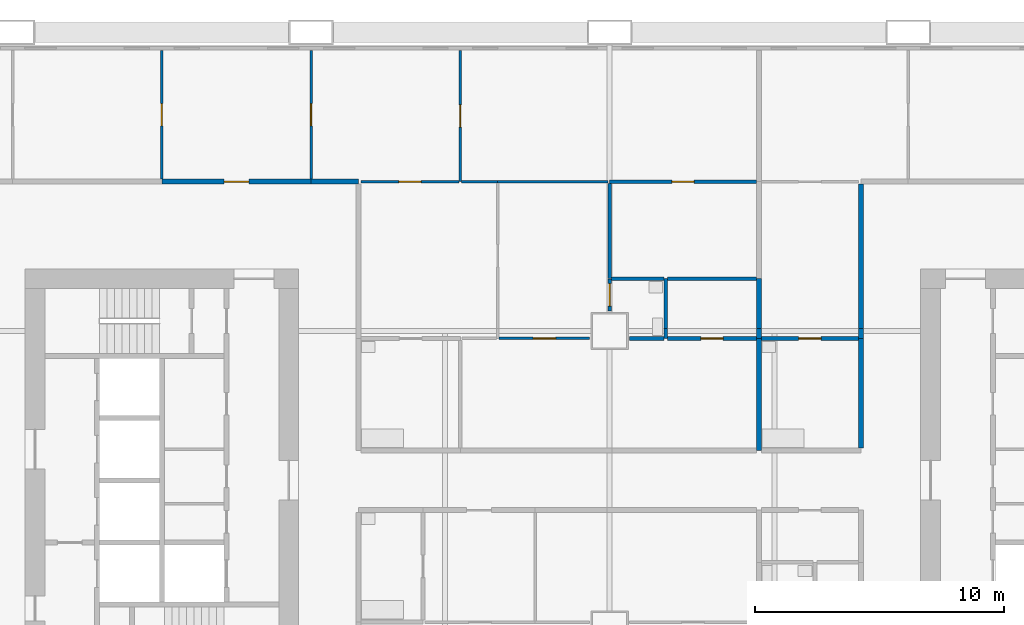
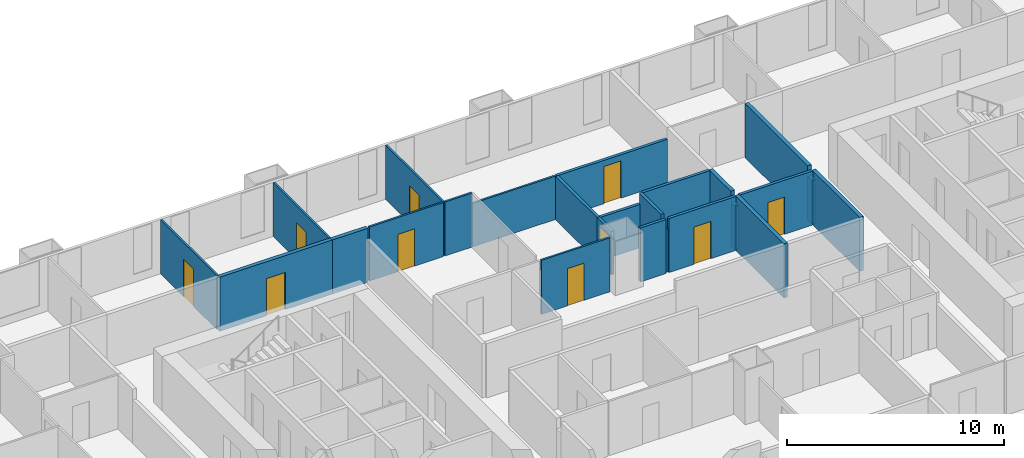
# One storey, part 9 of 14: 25 walls, 10 doors, 10 openings.
"""IFC4 building model written with IfcOpenShell, lengths in metres."""

from ifc_helpers import new_model, si_unit, direction, frame, frame_2d, origin, place, context, subcontext, project, spatial, rectangle, extrude, material, layer, layer_set, type_object, element, fill, save


model = new_model("IFC4")

# Units and contexts
model_context = context("Model", 3, precision=1e-05, world=origin(), true_north=direction((0.0, 1.0)))
body_context = subcontext(model_context, "Body", "Model", "MODEL_VIEW")
ifc_project = project(units=[si_unit("LENGTHUNIT", "METRE"), si_unit("AREAUNIT", "SQUARE_METRE"), si_unit("VOLUMEUNIT", "CUBIC_METRE"), si_unit("PLANEANGLEUNIT", "RADIAN"), si_unit("MASSUNIT", "GRAM", prefix="KILO")], contexts=[model_context])

# Site, building, storey
site_placement = place(None, origin())
site = spatial("IfcSite", under=ifc_project, at=site_placement, CompositionType="ELEMENT")
building_placement = place(site_placement, origin())
building = spatial("IfcBuilding", under=site, at=building_placement, Name="Kitamizu Gate Tower and Museum", CompositionType="ELEMENT")
storey_placement = place(building_placement, frame((0.0, 0.0, 54.14990234375)))
storey = spatial("IfcBuildingStorey", under=building, at=storey_placement, Name="L12", CompositionType="ELEMENT", Elevation=54.14990234375)

# Wall, opening, door
ifc_material_1 = material(Name="Gypsum board on galvanised stud")
ifc_layer_1 = layer(ifc_material_1, 0.10009765625)
ifc_layer_set_1 = layer_set([ifc_layer_1], Name="Gypsum board on galvanised stud")
wall_type_1 = type_object("IfcWallType", Name="Partition 100 NOT RATED", PredefinedType="PARTITIONING", material=ifc_layer_set_1)
wall_1_placement = place(storey_placement, frame((18.0, 42.10009765625, 0.0), z_axis=(0.0, 0.0, 1.0), x_axis=(0.0, 1.0, 0.0)))
wall_1 = element("IfcWall", 1, at=wall_1_placement, inside=storey, type_object=wall_type_1, Name="Partition L12-122", PredefinedType="PARTITIONING", context=body_context, shape_type="SweptSolid", body=[
    extrude(rectangle(XDim=5.179931640625, YDim=0.10009765625, at=frame_2d((2.58984375, 0.0))), origin(), (0.0, 0.0, 1.0), 3.050048828125),
])
opening_1_placement = place(wall_1_placement, frame((2.139892578125, 0.0, 0.0)))
opening_1 = element("IfcOpeningElement", 2, at=opening_1_placement, cuts=wall_1, Name="Opening L12-044", PredefinedType="OPENING", context=body_context, shape_type="SweptSolid", body=[
    extrude(rectangle(XDim=0.89990234375, YDim=2.10009765625, at=frame_2d((0.449951171875, 1.050048828125))), frame((0.0, 0.06005859375, 0.0), z_axis=(0.0, -1.0, 0.0), x_axis=(1.0, 0.0, 0.0)), (0.0, 0.0, 1.0), 0.1201171875),
])
ifc_material_2 = material(Name="Timber door set", Category="wood")
door_type_1 = type_object("IfcDoorType", Name="Room door 900", OperationType="NOTDEFINED", PredefinedType="DOOR", material=ifc_material_2)
door_1_placement = place(opening_1_placement, origin())
door_1 = element("IfcDoor", 3, at=door_1_placement, inside=storey, type_object=door_type_1, Name="Door L12-044", OperationType="SINGLE_SWING_LEFT", OverallHeight=2.10009765625, OverallWidth=0.89990234375, PredefinedType="DOOR", context=body_context, shape_type="SweptSolid", body=[
    extrude(rectangle(XDim=0.89990234375, YDim=2.10009765625, at=frame_2d((0.449951171875, 1.050048828125))), frame((0.0, 0.02490234375, 0.0), z_axis=(0.0, -1.0, 0.0), x_axis=(1.0, 0.0, 0.0)), (0.0, 0.0, 1.0), 0.050048828125),
])
fill(opening_1, door_1)

wall_2_placement = place(storey_placement, frame((24.0, 42.10009765625, 0.0), z_axis=(0.0, 0.0, 1.0), x_axis=(0.0, 1.0, 0.0)))
wall_2 = element("IfcWall", 4, at=wall_2_placement, inside=storey, type_object=wall_type_1, Name="Partition L12-124", PredefinedType="PARTITIONING", context=body_context, shape_type="SweptSolid", body=[
    extrude(rectangle(XDim=5.179931640625, YDim=0.10009765625, at=frame_2d((2.58984375, 0.0))), origin(), (0.0, 0.0, 1.0), 3.050048828125),
])
opening_2_placement = place(wall_2_placement, frame((2.139892578125, 0.0, 0.0)))
opening_2 = element("IfcOpeningElement", 5, at=opening_2_placement, cuts=wall_2, Name="Opening L12-045", PredefinedType="OPENING", context=body_context, shape_type="SweptSolid", body=[
    extrude(rectangle(XDim=0.89990234375, YDim=2.10009765625, at=frame_2d((0.449951171875, 1.050048828125))), frame((0.0, 0.06005859375, 0.0), z_axis=(0.0, -1.0, 0.0), x_axis=(1.0, 0.0, 0.0)), (0.0, 0.0, 1.0), 0.1201171875),
])
door_2_placement = place(opening_2_placement, frame((0.89990234375, 0.0, 0.0), x_axis=(-1.0, 0.0, 0.0)))
door_2 = element("IfcDoor", 6, at=door_2_placement, inside=storey, type_object=door_type_1, Name="Door L12-045", OperationType="SINGLE_SWING_LEFT", OverallHeight=2.10009765625, OverallWidth=0.89990234375, PredefinedType="DOOR", context=body_context, shape_type="SweptSolid", body=[
    extrude(rectangle(XDim=0.89990234375, YDim=2.10009765625, at=frame_2d((0.449951171875, 1.050048828125))), frame((0.0, 0.02490234375, 0.0), z_axis=(0.0, -1.0, 0.0), x_axis=(1.0, 0.0, 0.0)), (0.0, 0.0, 1.0), 0.050048828125),
])
fill(opening_2, door_2)

wall_3_placement = place(storey_placement, frame((30.0, 42.0, 0.0), z_axis=(0.0, 0.0, 1.0), x_axis=(0.0, 1.0, 0.0)))
wall_3 = element("IfcWall", 7, at=wall_3_placement, inside=storey, type_object=wall_type_1, Name="Partition L12-126", PredefinedType="PARTITIONING", context=body_context, shape_type="SweptSolid", body=[
    extrude(rectangle(XDim=5.280029296875, YDim=0.10009765625, at=frame_2d((2.64013671875, 0.0))), origin(), (0.0, 0.0, 1.0), 3.050048828125),
])
opening_3_placement = place(wall_3_placement, frame((2.18994140625, 0.0, 0.0)))
opening_3 = element("IfcOpeningElement", 8, at=opening_3_placement, cuts=wall_3, Name="Opening L12-047", PredefinedType="OPENING", context=body_context, shape_type="SweptSolid", body=[
    extrude(rectangle(XDim=0.89990234375, YDim=2.10009765625, at=frame_2d((0.449951171875, 1.050048828125))), frame((0.0, 0.06005859375, 0.0), z_axis=(0.0, -1.0, 0.0), x_axis=(1.0, 0.0, 0.0)), (0.0, 0.0, 1.0), 0.1201171875),
])
door_3_placement = place(opening_3_placement, origin())
door_3 = element("IfcDoor", 9, at=door_3_placement, inside=storey, type_object=door_type_1, Name="Door L12-047", OperationType="SINGLE_SWING_RIGHT", OverallHeight=2.10009765625, OverallWidth=0.89990234375, PredefinedType="DOOR", context=body_context, shape_type="SweptSolid", body=[
    extrude(rectangle(XDim=0.89990234375, YDim=2.10009765625, at=frame_2d((0.449951171875, 1.050048828125))), frame((0.0, 0.02490234375, 0.0), z_axis=(0.0, -1.0, 0.0), x_axis=(1.0, 0.0, 0.0)), (0.0, 0.0, 1.0), 0.050048828125),
])
fill(opening_3, door_3)

wall_4_placement = place(storey_placement, frame((26.0, 42.0, 0.0), z_axis=(0.0, 0.0, 1.0), x_axis=(1.0, 0.0, 0.0)))
wall_4 = element("IfcWall", 10, at=wall_4_placement, inside=storey, type_object=wall_type_1, Name="Partition L12-127", PredefinedType="PARTITIONING", context=body_context, shape_type="SweptSolid", body=[
    extrude(rectangle(XDim=3.949951171875, YDim=0.10009765625, at=frame_2d((1.97509765625, 0.0))), origin(), (0.0, 0.0, 1.0), 3.050048828125),
])
opening_4_placement = place(wall_4_placement, frame((1.52490234375, 0.0, 0.0)))
opening_4 = element("IfcOpeningElement", 11, at=opening_4_placement, cuts=wall_4, Name="Opening L12-048", PredefinedType="OPENING", context=body_context, shape_type="SweptSolid", body=[
    extrude(rectangle(XDim=0.89990234375, YDim=2.10009765625, at=frame_2d((0.449951171875, 1.050048828125))), frame((0.0, 0.06005859375, 0.0), z_axis=(0.0, -1.0, 0.0), x_axis=(1.0, 0.0, 0.0)), (0.0, 0.0, 1.0), 0.1201171875),
])
door_4_placement = place(opening_4_placement, origin())
door_4 = element("IfcDoor", 12, at=door_4_placement, inside=storey, type_object=door_type_1, Name="Door L12-048", OperationType="SINGLE_SWING_LEFT", OverallHeight=2.10009765625, OverallWidth=0.89990234375, PredefinedType="DOOR", context=body_context, shape_type="SweptSolid", body=[
    extrude(rectangle(XDim=0.89990234375, YDim=2.10009765625, at=frame_2d((0.449951171875, 1.050048828125))), frame((0.0, 0.02490234375, 0.0), z_axis=(0.0, -1.0, 0.0), x_axis=(1.0, 0.0, 0.0)), (0.0, 0.0, 1.0), 0.050048828125),
])
fill(opening_4, door_4)

# Walls
wall_5_placement = place(storey_placement, frame((30.050048828125, 42.0, 0.0), z_axis=(0.0, 0.0, 1.0), x_axis=(1.0, 0.0, 0.0)))
element("IfcWall", 13, at=wall_5_placement, inside=storey, type_object=wall_type_1, Name="Partition L12-129", PredefinedType="PARTITIONING", context=body_context, shape_type="SweptSolid", body=[
    extrude(rectangle(XDim=1.449951171875, YDim=0.10009765625, at=frame_2d((0.72509765625, 0.0))), origin(), (0.0, 0.0, 1.0), 3.050048828125),
])
wall_6_placement = place(storey_placement, frame((31.5, 42.0, 0.0), z_axis=(0.0, 0.0, 1.0), x_axis=(1.0, 0.0, 0.0)))
element("IfcWall", 14, at=wall_6_placement, inside=storey, type_object=wall_type_1, Name="Partition L12-130", PredefinedType="PARTITIONING", context=body_context, shape_type="SweptSolid", body=[
    extrude(rectangle(XDim=4.425048828125, YDim=0.10009765625, at=frame_2d((2.21240234375, 0.0))), origin(), (0.0, 0.0, 1.0), 2.4501953125),
])

# Wall, opening, door
wall_7_placement = place(storey_placement, frame((31.550048828125, 35.699951171875, 0.0), z_axis=(0.0, 0.0, 1.0), x_axis=(1.0, 0.0, 0.0)))
wall_7 = element("IfcWall", 15, at=wall_7_placement, inside=storey, type_object=wall_type_1, Name="Partition L12-140", PredefinedType="PARTITIONING", context=body_context, shape_type="SweptSolid", body=[
    extrude(rectangle(XDim=3.64990234375, YDim=0.10009765625, at=frame_2d((1.824951171875, 0.0))), origin(), (0.0, 0.0, 1.0), 3.050048828125),
])
opening_5_placement = place(wall_7_placement, frame((1.375, 0.0, 0.0)))
opening_5 = element("IfcOpeningElement", 16, at=opening_5_placement, cuts=wall_7, Name="Opening L12-053", PredefinedType="OPENING", context=body_context, shape_type="SweptSolid", body=[
    extrude(rectangle(XDim=0.89990234375, YDim=2.10009765625, at=frame_2d((0.449951171875, 1.050048828125))), frame((0.0, 0.06005859375, 0.0), z_axis=(0.0, -1.0, 0.0), x_axis=(1.0, 0.0, 0.0)), (0.0, 0.0, 1.0), 0.1201171875),
])
door_5_placement = place(opening_5_placement, origin())
door_5 = element("IfcDoor", 17, at=door_5_placement, inside=storey, type_object=door_type_1, Name="Door L12-053", OperationType="SINGLE_SWING_RIGHT", OverallHeight=2.10009765625, OverallWidth=0.89990234375, PredefinedType="DOOR", context=body_context, shape_type="SweptSolid", body=[
    extrude(rectangle(XDim=0.89990234375, YDim=2.10009765625, at=frame_2d((0.449951171875, 1.050048828125))), frame((0.0, 0.02490234375, 0.0), z_axis=(0.0, -1.0, 0.0), x_axis=(1.0, 0.0, 0.0)), (0.0, 0.0, 1.0), 0.050048828125),
])
fill(opening_5, door_5)

ifc_material_3 = material(Name="Gypsum board on galvanised stud")
ifc_layer_2 = layer(ifc_material_3, 0.14990234375)
ifc_layer_set_2 = layer_set([ifc_layer_2], Name="Gypsum board on galvanised stud")
wall_type_2 = type_object("IfcWallType", Name="Partition 150", PredefinedType="PARTITIONING", material=ifc_layer_set_2)
wall_8_placement = place(storey_placement, frame((36.0, 42.0, 0.0), z_axis=(0.0, 0.0, 1.0), x_axis=(1.0, 0.0, 0.0)))
wall_8 = element("IfcWall", 18, at=wall_8_placement, inside=storey, type_object=wall_type_2, Name="Partition L12-131", PredefinedType="PARTITIONING", context=body_context, shape_type="SweptSolid", body=[
    extrude(rectangle(XDim=5.89990234375, YDim=0.14990234375, at=frame_2d((2.949951171875, 0.0))), origin(), (0.0, 0.0, 1.0), 2.4501953125),
])
opening_6_placement = place(wall_8_placement, frame((2.5, 0.0, 0.0)))
opening_6 = element("IfcOpeningElement", 19, at=opening_6_placement, cuts=wall_8, Name="Opening L12-051", PredefinedType="OPENING", context=body_context, shape_type="SweptSolid", body=[
    extrude(rectangle(XDim=0.89990234375, YDim=2.10009765625, at=frame_2d((0.449951171875, 1.050048828125))), frame((0.0, 0.0849609375, 0.0), z_axis=(0.0, -1.0, 0.0), x_axis=(1.0, 0.0, 0.0)), (0.0, 0.0, 1.0), 0.169921875),
])
ifc_material_4 = material(Name="Timber door set", Category="wood")
door_type_2 = type_object("IfcDoorType", Name="Bathroom door 900", OperationType="NOTDEFINED", PredefinedType="DOOR", material=ifc_material_4)
door_6_placement = place(opening_6_placement, frame((0.89990234375, 0.0, 0.0), x_axis=(-1.0, 0.0, 0.0)))
door_6 = element("IfcDoor", 20, at=door_6_placement, inside=storey, type_object=door_type_2, Name="Bathroom door L12-051", OperationType="SINGLE_SWING_LEFT", OverallHeight=2.10009765625, OverallWidth=0.89990234375, PredefinedType="DOOR", context=body_context, shape_type="SweptSolid", body=[
    extrude(rectangle(XDim=0.89990234375, YDim=2.10009765625, at=frame_2d((0.449951171875, 1.050048828125))), frame((0.0, 0.02490234375, 0.0), z_axis=(0.0, -1.0, 0.0), x_axis=(1.0, 0.0, 0.0)), (0.0, 0.0, 1.0), 0.050048828125),
])
fill(opening_6, door_6)

wall_9_placement = place(storey_placement, frame((36.0, 36.800048828125, 0.0), z_axis=(0.0, 0.0, 1.0), x_axis=(0.0, 1.0, 0.0)))
wall_9 = element("IfcWall", 21, at=wall_9_placement, inside=storey, type_object=wall_type_2, Name="Partition L12-138", PredefinedType="PARTITIONING", context=body_context, shape_type="SweptSolid", body=[
    extrude(rectangle(XDim=1.300048828125, YDim=0.14990234375, at=frame_2d((0.64990234375, 0.0))), origin(), (0.0, 0.0, 1.0), 2.4501953125),
])
opening_7_placement = place(wall_9_placement, frame((0.199951171875, 0.0, 0.0)))
opening_7 = element("IfcOpeningElement", 22, at=opening_7_placement, cuts=wall_9, Name="Opening L12-050", PredefinedType="OPENING", context=body_context, shape_type="SweptSolid", body=[
    extrude(rectangle(XDim=0.89990234375, YDim=2.10009765625, at=frame_2d((0.449951171875, 1.050048828125))), frame((0.0, 0.0849609375, 0.0), z_axis=(0.0, -1.0, 0.0), x_axis=(1.0, 0.0, 0.0)), (0.0, 0.0, 1.0), 0.169921875),
])
door_7_placement = place(opening_7_placement, frame((0.89990234375, 0.0, 0.0), x_axis=(-1.0, 0.0, 0.0)))
door_7 = element("IfcDoor", 23, at=door_7_placement, inside=storey, type_object=door_type_2, Name="Bathroom door L12-050", OperationType="SINGLE_SWING_RIGHT", OverallHeight=2.10009765625, OverallWidth=0.89990234375, PredefinedType="DOOR", context=body_context, shape_type="SweptSolid", body=[
    extrude(rectangle(XDim=0.89990234375, YDim=2.10009765625, at=frame_2d((0.449951171875, 1.050048828125))), frame((0.0, 0.02490234375, 0.0), z_axis=(0.0, -1.0, 0.0), x_axis=(1.0, 0.0, 0.0)), (0.0, 0.0, 1.0), 0.050048828125),
])
fill(opening_7, door_7)

# Walls
wall_10_placement = place(storey_placement, frame((36.0, 38.10009765625, 0.0), z_axis=(0.0, 0.0, 1.0), x_axis=(0.0, 1.0, 0.0)))
element("IfcWall", 24, at=wall_10_placement, inside=storey, type_object=wall_type_2, Name="Partition L12-139", PredefinedType="PARTITIONING", context=body_context, shape_type="SweptSolid", body=[
    extrude(rectangle(XDim=3.824951171875, YDim=0.14990234375, at=frame_2d((1.91259765625, 0.0))), origin(), (0.0, 0.0, 1.0), 2.4501953125),
])
wall_11_placement = place(storey_placement, frame((38.25, 35.699951171875, 0.0), z_axis=(0.0, 0.0, 1.0), x_axis=(0.0, 1.0, 0.0)))
element("IfcWall", 25, at=wall_11_placement, inside=storey, type_object=wall_type_2, Name="Partition L12-141", PredefinedType="PARTITIONING", context=body_context, shape_type="SweptSolid", body=[
    extrude(rectangle(XDim=0.400146484375, YDim=0.14990234375, at=frame_2d((0.2001953125, 0.0))), origin(), (0.0, 0.0, 1.0), 2.4501953125),
])
wall_12_placement = place(storey_placement, frame((38.25, 36.10009765625, 0.0), z_axis=(0.0, 0.0, 1.0), x_axis=(0.0, 1.0, 0.0)))
element("IfcWall", 26, at=wall_12_placement, inside=storey, type_object=wall_type_2, Name="Partition L12-142", PredefinedType="PARTITIONING", context=body_context, shape_type="SweptSolid", body=[
    extrude(rectangle(XDim=2.0, YDim=0.14990234375, at=frame_2d((1.0, 0.0))), origin(), (0.0, 0.0, 1.0), 3.050048828125),
])
wall_13_placement = place(storey_placement, frame((38.175048828125, 38.10009765625, 0.0), z_axis=(0.0, 0.0, 1.0), x_axis=(-1.0, 0.0, 0.0)))
element("IfcWall", 27, at=wall_13_placement, inside=storey, type_object=wall_type_2, Name="Partition L12-143", PredefinedType="PARTITIONING", context=body_context, shape_type="SweptSolid", body=[
    extrude(rectangle(XDim=2.10009765625, YDim=0.14990234375, at=frame_2d((1.050048828125, 0.0))), origin(), (0.0, 0.0, 1.0), 2.4501953125),
])
wall_14_placement = place(storey_placement, frame((36.800048828125, 35.699951171875, 0.0), z_axis=(0.0, 0.0, 1.0), x_axis=(1.0, 0.0, 0.0)))
element("IfcWall", 28, at=wall_14_placement, inside=storey, type_object=wall_type_2, Name="Partition L12-144", PredefinedType="PARTITIONING", context=body_context, shape_type="SweptSolid", body=[
    extrude(rectangle(XDim=1.375, YDim=0.14990234375, at=frame_2d((0.6875, 0.0))), origin(), (0.0, 0.0, 1.0), 3.050048828125),
])
wall_15_placement = place(storey_placement, frame((41.89990234375, 38.10009765625, 0.0), z_axis=(0.0, 0.0, 1.0), x_axis=(-1.0, 0.0, 0.0)))
element("IfcWall", 29, at=wall_15_placement, inside=storey, type_object=wall_type_2, Name="Partition L12-145", PredefinedType="PARTITIONING", context=body_context, shape_type="SweptSolid", body=[
    extrude(rectangle(XDim=3.574951171875, YDim=0.14990234375, at=frame_2d((1.78759765625, 0.0))), origin(), (0.0, 0.0, 1.0), 3.050048828125),
])

# Wall, opening, door
wall_16_placement = place(storey_placement, frame((38.324951171875, 35.699951171875, 0.0), z_axis=(0.0, 0.0, 1.0), x_axis=(1.0, 0.0, 0.0)))
wall_16 = element("IfcWall", 30, at=wall_16_placement, inside=storey, type_object=wall_type_2, Name="Partition L12-146", PredefinedType="PARTITIONING", context=body_context, shape_type="SweptSolid", body=[
    extrude(rectangle(XDim=3.574951171875, YDim=0.14990234375, at=frame_2d((1.78759765625, 0.0))), origin(), (0.0, 0.0, 1.0), 3.050048828125),
])
opening_8_placement = place(wall_16_placement, frame((1.33740234375, 0.0, 0.0)))
opening_8 = element("IfcOpeningElement", 31, at=opening_8_placement, cuts=wall_16, Name="Opening L12-054", PredefinedType="OPENING", context=body_context, shape_type="SweptSolid", body=[
    extrude(rectangle(XDim=0.89990234375, YDim=2.10009765625, at=frame_2d((0.449951171875, 1.050048828125))), frame((0.0, 0.0849609375, 0.0), z_axis=(0.0, -1.0, 0.0), x_axis=(1.0, 0.0, 0.0)), (0.0, 0.0, 1.0), 0.169921875),
])
door_8_placement = place(opening_8_placement, origin())
door_8 = element("IfcDoor", 32, at=door_8_placement, inside=storey, type_object=door_type_2, Name="Bathroom door L12-054", OperationType="SINGLE_SWING_LEFT", OverallHeight=2.10009765625, OverallWidth=0.89990234375, PredefinedType="DOOR", context=body_context, shape_type="SweptSolid", body=[
    extrude(rectangle(XDim=0.89990234375, YDim=2.10009765625, at=frame_2d((0.449951171875, 1.050048828125))), frame((0.0, 0.02490234375, 0.0), z_axis=(0.0, -1.0, 0.0), x_axis=(1.0, 0.0, 0.0)), (0.0, 0.0, 1.0), 0.050048828125),
])
fill(opening_8, door_8)

wall_17_placement = place(storey_placement, frame((42.10009765625, 35.699951171875, 0.0), z_axis=(0.0, 0.0, 1.0), x_axis=(1.0, 0.0, 0.0)))
wall_17 = element("IfcWall", 33, at=wall_17_placement, inside=storey, type_object=wall_type_2, Name="Partition L12-184", PredefinedType="PARTITIONING", context=body_context, shape_type="SweptSolid", body=[
    extrude(rectangle(XDim=3.89990234375, YDim=0.14990234375, at=frame_2d((1.949951171875, 0.0))), origin(), (0.0, 0.0, 1.0), 3.050048828125),
])
opening_9_placement = place(wall_17_placement, frame((1.5, 0.0, 0.0)))
opening_9 = element("IfcOpeningElement", 34, at=opening_9_placement, cuts=wall_17, Name="Opening L12-068", PredefinedType="OPENING", context=body_context, shape_type="SweptSolid", body=[
    extrude(rectangle(XDim=0.89990234375, YDim=2.10009765625, at=frame_2d((0.449951171875, 1.050048828125))), frame((0.0, 0.0849609375, 0.0), z_axis=(0.0, -1.0, 0.0), x_axis=(1.0, 0.0, 0.0)), (0.0, 0.0, 1.0), 0.169921875),
])
door_9_placement = place(opening_9_placement, frame((0.89990234375, 0.0, 0.0), x_axis=(-1.0, 0.0, 0.0)))
door_9 = element("IfcDoor", 35, at=door_9_placement, inside=storey, type_object=door_type_2, Name="Bathroom door L12-068", OperationType="SINGLE_SWING_LEFT", OverallHeight=2.10009765625, OverallWidth=0.89990234375, PredefinedType="DOOR", context=body_context, shape_type="SweptSolid", body=[
    extrude(rectangle(XDim=0.89990234375, YDim=2.10009765625, at=frame_2d((0.449951171875, 1.050048828125))), frame((0.0, 0.02490234375, 0.0), z_axis=(0.0, -1.0, 0.0), x_axis=(1.0, 0.0, 0.0)), (0.0, 0.0, 1.0), 0.050048828125),
])
fill(opening_9, door_9)

ifc_material_5 = material(Name="Gypsum board on galvanised stud")
ifc_layer_3 = layer(ifc_material_5, 0.199951171875)
ifc_layer_set_3 = layer_set([ifc_layer_3], Name="Gypsum board on galvanised stud")
wall_type_3 = type_object("IfcWallType", Name="Partition 200", PredefinedType="PARTITIONING", material=ifc_layer_set_3)
wall_18_placement = place(storey_placement, frame((18.0, 42.0, 0.0), z_axis=(0.0, 0.0, 1.0), x_axis=(1.0, 0.0, 0.0)))
wall_18 = element("IfcWall", 36, at=wall_18_placement, inside=storey, type_object=wall_type_3, Name="Partition L12-125", PredefinedType="PARTITIONING", context=body_context, shape_type="SweptSolid", body=[
    extrude(rectangle(XDim=6.0, YDim=0.199951171875, at=frame_2d((3.0, 0.0))), origin(), (0.0, 0.0, 1.0), 3.050048828125),
])
opening_10_placement = place(wall_18_placement, frame((2.5, 0.0, 0.0)))
opening_10 = element("IfcOpeningElement", 37, at=opening_10_placement, cuts=wall_18, Name="Opening L12-043", PredefinedType="OPENING", context=body_context, shape_type="SweptSolid", body=[
    extrude(rectangle(XDim=1.0, YDim=2.10009765625, at=frame_2d((0.5, 1.050048828125))), frame((0.0, 0.10986328125, 0.0), z_axis=(0.0, -1.0, 0.0), x_axis=(1.0, 0.0, 0.0)), (0.0, 0.0, 1.0), 0.219970703125),
])
ifc_material_6 = material(Name="Timber door set", Category="wood")
door_type_3 = type_object("IfcDoorType", Name="Flat entrance door 1000", OperationType="NOTDEFINED", PredefinedType="DOOR", material=ifc_material_6)
door_10_placement = place(opening_10_placement, origin())
door_10 = element("IfcDoor", 38, at=door_10_placement, inside=storey, type_object=door_type_3, Name="Flat entrance door L12-043", OperationType="SINGLE_SWING_RIGHT", OverallHeight=2.10009765625, OverallWidth=1.0, PredefinedType="DOOR", context=body_context, shape_type="SweptSolid", body=[
    extrude(rectangle(XDim=1.0, YDim=2.10009765625, at=frame_2d((0.5, 1.050048828125))), frame((0.0, 0.02490234375, 0.0), z_axis=(0.0, -1.0, 0.0), x_axis=(1.0, 0.0, 0.0)), (0.0, 0.0, 1.0), 0.050048828125),
])
fill(opening_10, door_10)

# Walls
wall_19_placement = place(storey_placement, frame((24.0, 42.0, 0.0), z_axis=(0.0, 0.0, 1.0), x_axis=(1.0, 0.0, 0.0)))
element("IfcWall", 39, at=wall_19_placement, inside=storey, type_object=wall_type_3, Name="Partition L12-128", PredefinedType="PARTITIONING", context=body_context, shape_type="SweptSolid", body=[
    extrude(rectangle(XDim=1.89990234375, YDim=0.199951171875, at=frame_2d((0.949951171875, 0.0))), origin(), (0.0, 0.0, 1.0), 3.050048828125),
])
wall_20_placement = place(storey_placement, frame((42.0, 35.699951171875, 0.0), z_axis=(0.0, 0.0, 1.0), x_axis=(0.0, 1.0, 0.0)))
element("IfcWall", 40, at=wall_20_placement, inside=storey, type_object=wall_type_3, Name="Partition L12-147", PredefinedType="PARTITIONING", context=body_context, shape_type="SweptSolid", body=[
    extrude(rectangle(XDim=0.400146484375, YDim=0.199951171875, at=frame_2d((0.2001953125, 0.0))), origin(), (0.0, 0.0, 1.0), 2.4501953125),
])
wall_21_placement = place(storey_placement, frame((42.0, 36.10009765625, 0.0), z_axis=(0.0, 0.0, 1.0), x_axis=(0.0, 1.0, 0.0)))
element("IfcWall", 41, at=wall_21_placement, inside=storey, type_object=wall_type_3, Name="Partition L12-148", PredefinedType="PARTITIONING", context=body_context, shape_type="SweptSolid", body=[
    extrude(rectangle(XDim=2.0, YDim=0.199951171875, at=frame_2d((1.0, 0.0))), origin(), (0.0, 0.0, 1.0), 3.050048828125),
])
wall_22_placement = place(storey_placement, frame((42.0, 31.199951171875, 0.0), z_axis=(0.0, 0.0, 1.0), x_axis=(0.0, 1.0, 0.0)))
element("IfcWall", 42, at=wall_22_placement, inside=storey, type_object=wall_type_3, Name="Partition L12-153", PredefinedType="PARTITIONING", context=body_context, shape_type="SweptSolid", body=[
    extrude(rectangle(XDim=4.5, YDim=0.199951171875, at=frame_2d((2.25, 0.0))), origin(), (0.0, 0.0, 1.0), 3.050048828125),
])
wall_23_placement = place(storey_placement, frame((46.10009765625, 35.699951171875, 0.0), z_axis=(0.0, 0.0, 1.0), x_axis=(0.0, 1.0, 0.0)))
element("IfcWall", 43, at=wall_23_placement, inside=storey, type_object=wall_type_3, Name="Partition L12-185", PredefinedType="PARTITIONING", context=body_context, shape_type="SweptSolid", body=[
    extrude(rectangle(XDim=0.400146484375, YDim=0.199951171875, at=frame_2d((0.2001953125, 0.0))), origin(), (0.0, 0.0, 1.0), 2.4501953125),
])
wall_24_placement = place(storey_placement, frame((46.10009765625, 36.10009765625, 0.0), z_axis=(0.0, 0.0, 1.0), x_axis=(0.0, 1.0, 0.0)))
element("IfcWall", 44, at=wall_24_placement, inside=storey, type_object=wall_type_3, Name="Partition L12-186", PredefinedType="PARTITIONING", context=body_context, shape_type="SweptSolid", body=[
    extrude(rectangle(XDim=5.7998046875, YDim=0.199951171875, at=frame_2d((2.89990234375, 0.0))), origin(), (0.0, 0.0, 1.0), 3.050048828125),
])
wall_25_placement = place(storey_placement, frame((46.10009765625, 31.300048828125, 0.0), z_axis=(0.0, 0.0, 1.0), x_axis=(0.0, 1.0, 0.0)))
element("IfcWall", 45, at=wall_25_placement, inside=storey, type_object=wall_type_3, Name="Partition L12-188", PredefinedType="PARTITIONING", context=body_context, shape_type="SweptSolid", body=[
    extrude(rectangle(XDim=4.39990234375, YDim=0.199951171875, at=frame_2d((2.199951171875, 0.0))), origin(), (0.0, 0.0, 1.0), 3.050048828125),
])

save(model, "model.ifc")
